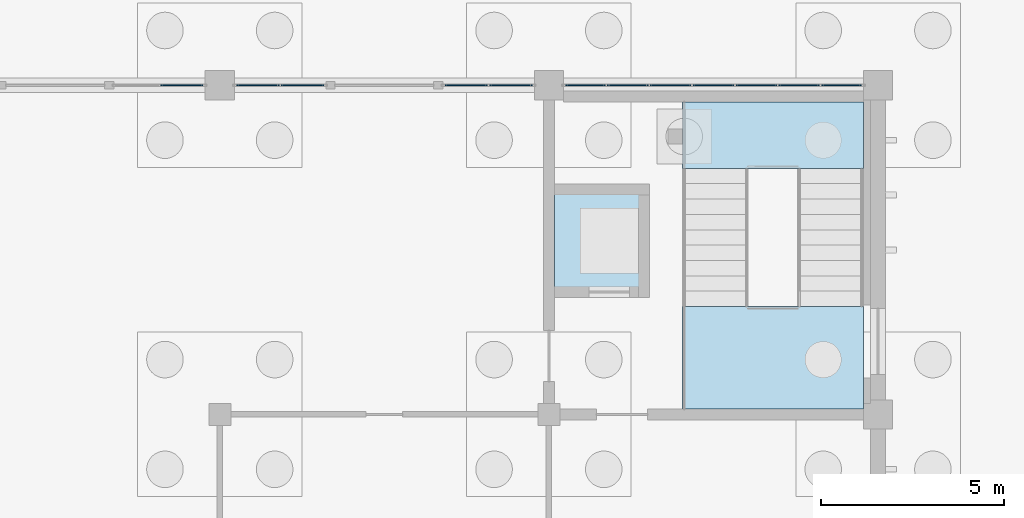
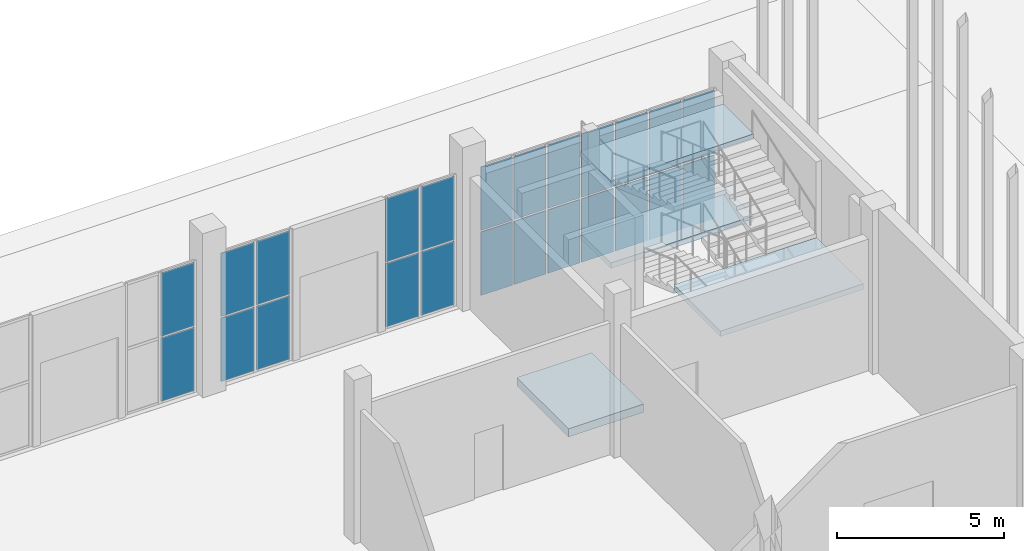
# One storey, part 70 of 198: 24 plates, 4 slabs, 5 elements without a shape of their own.
"""IFC4 building model written with IfcOpenShell, lengths in metres."""

import ifcopenshell
import ifcopenshell.guid

model = None  # the IFC model being written
_history = None  # IfcOwnerHistory: only IFC2X3 demands one
_inside = {}  # id of a spatial element -> (the spatial element, [elements in it])
_under = {}  # id of a project, library or spatial element -> (it, [spatial elements below it])
_declared = {}  # id of a project -> (the project, [libraries it declares])
_typed = {}  # id of a type object -> (the type object, [elements of that type])
_made_of = {}  # id of a material, layer set ... -> (it, [elements and type objects made of it])


def new_model(schema):
    """Start an empty IFC model of exactly this schema.

    Asked for "IFC4X3", IfcOpenShell would pick the latest addendum, in which some entities
    have other attributes; the version numbers below select the first issue.
    IFC2X3 requires an IfcOwnerHistory on every rooted entity: one is made here for all.
    """
    global model, _history
    if schema == "IFC4X3":
        model = ifcopenshell.file(schema_version=(4, 3, 0, 0))
    else:
        model = ifcopenshell.file(schema=schema)
    _inside.clear()
    _under.clear()
    _declared.clear()
    _typed.clear()
    _made_of.clear()
    _history = None
    if model.schema == "IFC2X3":
        org = make("IfcOrganization", Name="unknown")
        user = make(
            "IfcPersonAndOrganization",
            ThePerson=make("IfcPerson", FamilyName="unknown"),
            TheOrganization=org,
        )
        app = make(
            "IfcApplication",
            ApplicationDeveloper=org,
            Version="unknown",
            ApplicationFullName="unknown",
            ApplicationIdentifier="unknown",
        )
        _history = make(
            "IfcOwnerHistory",
            OwningUser=user,
            OwningApplication=app,
            ChangeAction="ADDED",
            CreationDate=0,
        )
    return model


def make(cls, **values):
    """One entity of the class cls with the attributes given. An attribute that is None is left unset."""
    return model.create_entity(
        cls, **{name: value for name, value in values.items() if value is not None}
    )


def rooted(cls, **values):
    """An entity with a GlobalId (a new one), such as an element, a storey or a relation."""
    return make(cls, GlobalId=ifcopenshell.guid.new(), OwnerHistory=_history, **values)


def si_unit(unit_type, name, prefix=None):
    """IfcSIUnit, for example si_unit("LENGTHUNIT", "METRE", prefix="MILLI")."""
    return make("IfcSIUnit", UnitType=unit_type, Prefix=prefix, Name=name)


def assignment(units):
    """IfcUnitAssignment: the units of a project."""
    return None if units is None else make("IfcUnitAssignment", Units=units)


def point(xyz):
    """IfcCartesianPoint."""
    return None if xyz is None else make("IfcCartesianPoint", Coordinates=xyz)


def direction(xyz):
    """IfcDirection."""
    return None if xyz is None else make("IfcDirection", DirectionRatios=xyz)


def frame(location, z_axis=None, x_axis=None):
    """IfcAxis2Placement3D, a coordinate frame: its origin and axes. An axis left out is left unset."""
    return make(
        "IfcAxis2Placement3D",
        Location=point(location),
        Axis=direction(z_axis),
        RefDirection=direction(x_axis),
    )


def frame_2d(location, x_axis=None):
    """IfcAxis2Placement2D, a coordinate frame in the plane: its origin and x axis."""
    return make(
        "IfcAxis2Placement2D", Location=point(location), RefDirection=direction(x_axis)
    )


def origin():
    """The frame at (0, 0, 0) with its axes left unset."""
    return frame((0.0, 0.0, 0.0))


def origin_2d():
    """The frame at (0, 0) in the plane with its x axis left unset."""
    return frame_2d((0.0, 0.0))


def place(relative_to, where):
    """IfcLocalPlacement: puts the frame where relative to a parent placement (None: the world)."""
    return make(
        "IfcLocalPlacement", PlacementRelTo=relative_to, RelativePlacement=where
    )


def context(
    kind, dimensions, precision=None, world=None, true_north=None, identifier=None
):
    """IfcGeometricRepresentationContext, for example the 3D "Model" context."""
    return make(
        "IfcGeometricRepresentationContext",
        ContextIdentifier=identifier,
        ContextType=kind,
        CoordinateSpaceDimension=dimensions,
        Precision=precision,
        WorldCoordinateSystem=world,
        TrueNorth=true_north,
    )


def subcontext(parent, identifier, kind, view, scale=None):
    """IfcGeometricRepresentationSubContext, for example "Body" below "Model"."""
    return make(
        "IfcGeometricRepresentationSubContext",
        ContextIdentifier=identifier,
        ContextType=kind,
        ParentContext=parent,
        TargetScale=scale,
        TargetView=view,
    )


def project(units=None, contexts=None):
    """IfcProject with its units and contexts."""
    return rooted(
        "IfcProject",
        Name="project",
        RepresentationContexts=contexts,
        UnitsInContext=assignment(units),
    )


def spatial(cls, under=None, at=None, **own):
    """A site, building, storey or space (cls), placed at a placement, below another one or the project."""
    s = rooted(cls, ObjectPlacement=at, **own)
    if under is not None:
        _under.setdefault(under.id(), (under, []))[1].append(s)
    return s


def polyline(points):
    """IfcPolyline through the points."""
    return make("IfcPolyline", Points=[point(p) for p in points])


def profile(cls, at=None, kind="AREA", **sizes):
    """A parametric profile (cls). Its sizes go by their IFC names, for example OverallWidth=200.0."""
    return make(cls, ProfileType=kind, Position=at, **sizes)


def rectangle(**sizes):
    """IfcRectangleProfileDef."""
    return profile("IfcRectangleProfileDef", **sizes)


def outline(outer, holes=None, kind="AREA"):
    """IfcArbitraryClosedProfileDef: a profile drawn as a closed curve; with holes, ...WithVoids."""
    if holes is None:
        return make("IfcArbitraryClosedProfileDef", ProfileType=kind, OuterCurve=outer)
    return make(
        "IfcArbitraryProfileDefWithVoids",
        ProfileType=kind,
        OuterCurve=outer,
        InnerCurves=holes,
    )


def extrude(swept, where, along, depth):
    """IfcExtrudedAreaSolid: the profile swept, set in the frame where, extruded along a direction by depth."""
    return make(
        "IfcExtrudedAreaSolid",
        SweptArea=swept,
        Position=where,
        ExtrudedDirection=direction(along),
        Depth=depth,
    )


def shape(context_of_items, identifier, shape_type, items):
    """IfcShapeRepresentation: the items that make up one representation, for example the "Body"."""
    return make(
        "IfcShapeRepresentation",
        ContextOfItems=context_of_items,
        RepresentationIdentifier=identifier,
        RepresentationType=shape_type,
        Items=items,
    )


def material(Name=None, Category=None):
    """IfcMaterial."""
    return make("IfcMaterial", Name=Name, Category=Category)


def layer(
    of_material, thickness, ventilated=None, Name=None, Category=None, Priority=None
):
    """IfcMaterialLayer: one layer of a wall or slab, of a material (None: an air gap)."""
    return make(
        "IfcMaterialLayer",
        Material=of_material,
        LayerThickness=thickness,
        IsVentilated=ventilated,
        Name=Name,
        Category=Category,
        Priority=Priority,
    )


def layer_set(layers, Name=None):
    """IfcMaterialLayerSet."""
    return make("IfcMaterialLayerSet", MaterialLayers=layers, LayerSetName=Name)


def made_of(thing, what):
    """Note that an element or type object is made of a material, layer set ...; save() writes the relation."""
    if what is not None:
        _made_of.setdefault(what.id(), (what, []))[1].append(thing)
    return thing


def type_object(cls, material=None, **own):
    """A type object (cls), such as IfcWallType, which elements share."""
    return made_of(rooted(cls, **own), material)


def element(
    cls,
    number,
    at=None,
    inside=None,
    cuts=None,
    type_object=None,
    material=None,
    context=None,
    identifier="Body",
    shape_type=None,
    held_by="IfcProductDefinitionShape",
    body=None,
    shapes=None,
    **own,
):
    """One element of the class cls, such as IfcWall. Its Tag is "e" and its number.

    at: its placement. inside: the storey or other place that contains it. cuts: it is an
    opening in that element (IfcRelVoidsElement). A single representation is given by context,
    identifier, shape_type and body (its items); several are given by shapes. held_by: the class
    of the entity that holds the representations. save() writes the other relations.
    """
    e = rooted(cls, Tag="e%d" % number, ObjectPlacement=at, **own)
    if body is not None:
        shapes = [shape(context, identifier, shape_type, body)]
    if shapes is not None:
        e.Representation = make(held_by, Representations=shapes)
    if inside is not None:
        _inside.setdefault(inside.id(), (inside, []))[1].append(e)
    if cuts is not None:
        rooted(
            "IfcRelVoidsElement", RelatingBuildingElement=cuts, RelatedOpeningElement=e
        )
    if type_object is not None:
        _typed.setdefault(type_object.id(), (type_object, []))[1].append(e)
    return made_of(e, material)


def aggregate(whole, parts):
    """IfcRelAggregates: a whole, such as a stair, and the parts it consists of."""
    return rooted("IfcRelAggregates", RelatingObject=whole, RelatedObjects=parts)


def save(model, path):
    """Write the relations noted so far, then the file.

    IfcRelAggregates (storeys below a building ...), IfcRelContainedInSpatialStructure (elements
    in a storey), IfcRelDefinesByType, IfcRelAssociatesMaterial and IfcRelDeclares: one each for
    every whole, place, type object, material and project.
    """
    for whole, parts in _under.values():
        aggregate(whole, parts)
    for where, things in _inside.values():
        rooted(
            "IfcRelContainedInSpatialStructure",
            RelatedElements=things,
            RelatingStructure=where,
        )
    for kind, things in _typed.values():
        rooted("IfcRelDefinesByType", RelatedObjects=things, RelatingType=kind)
    for what, things in _made_of.values():
        rooted("IfcRelAssociatesMaterial", RelatedObjects=things, RelatingMaterial=what)
    for by, libraries in _declared.values():
        rooted("IfcRelDeclares", RelatingContext=by, RelatedDefinitions=libraries)
    model.write(path)


model = new_model("IFC4")

# Units and contexts
model_context = context("Model", 3, precision=1e-05, world=origin(), true_north=direction((0.0, 1.0)))
body_context = subcontext(model_context, "Body", "Model", "MODEL_VIEW")
ifc_project = project(units=[si_unit("LENGTHUNIT", "METRE"), si_unit("AREAUNIT", "SQUARE_METRE"), si_unit("VOLUMEUNIT", "CUBIC_METRE"), si_unit("PLANEANGLEUNIT", "RADIAN"), si_unit("MASSUNIT", "GRAM", prefix="KILO")], contexts=[model_context])

# Site, building, storey
site_placement = place(None, origin())
site = spatial("IfcSite", under=ifc_project, at=site_placement, CompositionType="ELEMENT")
building_placement = place(site_placement, origin())
building = spatial("IfcBuilding", under=site, at=building_placement, Name="Opaline Strait Convention Centre", CompositionType="ELEMENT")
storey_placement = place(building_placement, origin())
storey = spatial("IfcBuildingStorey", under=building, at=storey_placement, Name="L00", CompositionType="ELEMENT", Elevation=0.0)

# Curtain wall, plates
ifc_material_1 = material(Name="Aluminium framed double glazing", Category="aluminium")
ifc_layer_1 = layer(ifc_material_1, 0.199951171875)
ifc_layer_set_1 = layer_set([ifc_layer_1], Name="Aluminium framed double glazing")
curtain_wall_type = type_object("IfcCurtainWallType", Name="Curtain wall 1250", PredefinedType="NOTDEFINED", material=ifc_layer_set_1)
curtain_wall_1_placement = place(storey_placement, origin())
curtain_wall_1 = element("IfcCurtainWall", 1, at=curtain_wall_1_placement, inside=storey, type_object=curtain_wall_type, Name="Curtain wall N-45b-L00", PredefinedType="NOTDEFINED")
ifc_material_2 = material(Name="Double glazed unit low emissivity", Category="glass")
ifc_layer_2 = layer(ifc_material_2, 0.028076171875)
ifc_layer_set_2 = layer_set([ifc_layer_2], Name="Double glazed unit low emissivity")
plate_type = type_object("IfcPlateType", Name="Curtain wall glass panel 28", PredefinedType="CURTAIN_PANEL", material=ifc_layer_set_2)
plate_1_placement = place(storey_placement, frame((52.960205078125, 180.0, 0.06005859375), z_axis=(0.0, 0.0, 1.0), x_axis=(1.0, 0.0, 0.0)))
plate_1 = element("IfcPlate", 2, at=plate_1_placement, type_object=plate_type, Name="PCW panel 2.1", PredefinedType="CURTAIN_PANEL", context=body_context, shape_type="SweptSolid", body=[
    extrude(rectangle(XDim=1.159912109375, YDim=0.028076171875, at=origin_2d()), origin(), (0.0, 0.0, 1.0), 2.320068359375),
])
plate_2_placement = place(storey_placement, frame((52.960205078125, 180.0, 2.43994140625), z_axis=(0.0, 0.0, 1.0), x_axis=(1.0, 0.0, 0.0)))
plate_2 = element("IfcPlate", 3, at=plate_2_placement, type_object=plate_type, Name="PCW panel 2.2", PredefinedType="CURTAIN_PANEL", context=body_context, shape_type="SweptSolid", body=[
    extrude(rectangle(XDim=1.159912109375, YDim=0.028076171875, at=origin_2d()), origin(), (0.0, 0.0, 1.0), 2.320068359375),
])
aggregate(curtain_wall_1, [plate_1, plate_2])

curtain_wall_2_placement = place(storey_placement, origin())
curtain_wall_2 = element("IfcCurtainWall", 4, at=curtain_wall_2_placement, inside=storey, type_object=curtain_wall_type, Name="Curtain wall N-54a-L00", PredefinedType="NOTDEFINED")
plate_3_placement = place(storey_placement, frame((55.039794921875, 180.0, 0.06005859375), z_axis=(0.0, 0.0, 1.0), x_axis=(1.0, 0.0, 0.0)))
plate_3 = element("IfcPlate", 5, at=plate_3_placement, type_object=plate_type, Name="PCW panel 1.1", PredefinedType="CURTAIN_PANEL", context=body_context, shape_type="SweptSolid", body=[
    extrude(rectangle(XDim=1.159912109375, YDim=0.028076171875, at=origin_2d()), origin(), (0.0, 0.0, 1.0), 2.320068359375),
])
plate_4_placement = place(storey_placement, frame((55.039794921875, 180.0, 2.43994140625), z_axis=(0.0, 0.0, 1.0), x_axis=(1.0, 0.0, 0.0)))
plate_4 = element("IfcPlate", 6, at=plate_4_placement, type_object=plate_type, Name="PCW panel 1.2", PredefinedType="CURTAIN_PANEL", context=body_context, shape_type="SweptSolid", body=[
    extrude(rectangle(XDim=1.159912109375, YDim=0.028076171875, at=origin_2d()), origin(), (0.0, 0.0, 1.0), 2.320068359375),
])
plate_5_placement = place(storey_placement, frame((56.260009765625, 180.0, 0.06005859375), z_axis=(0.0, 0.0, 1.0), x_axis=(1.0, 0.0, 0.0)))
plate_5 = element("IfcPlate", 7, at=plate_5_placement, type_object=plate_type, Name="PCW panel 2.1", PredefinedType="CURTAIN_PANEL", context=body_context, shape_type="SweptSolid", body=[
    extrude(rectangle(XDim=1.159912109375, YDim=0.028076171875, at=origin_2d()), origin(), (0.0, 0.0, 1.0), 2.320068359375),
])
plate_6_placement = place(storey_placement, frame((56.260009765625, 180.0, 2.43994140625), z_axis=(0.0, 0.0, 1.0), x_axis=(1.0, 0.0, 0.0)))
plate_6 = element("IfcPlate", 8, at=plate_6_placement, type_object=plate_type, Name="PCW panel 2.2", PredefinedType="CURTAIN_PANEL", context=body_context, shape_type="SweptSolid", body=[
    extrude(rectangle(XDim=1.159912109375, YDim=0.028076171875, at=origin_2d()), origin(), (0.0, 0.0, 1.0), 2.320068359375),
])
aggregate(curtain_wall_2, [plate_3, plate_4, plate_5, plate_6])

curtain_wall_3_placement = place(storey_placement, origin())
curtain_wall_3 = element("IfcCurtainWall", 9, at=curtain_wall_3_placement, inside=storey, type_object=curtain_wall_type, Name="Curtain wall N-54b-L00", PredefinedType="NOTDEFINED")
plate_7_placement = place(storey_placement, frame((60.739990234375, 180.0, 0.06005859375), z_axis=(0.0, 0.0, 1.0), x_axis=(1.0, 0.0, 0.0)))
plate_7 = element("IfcPlate", 10, at=plate_7_placement, type_object=plate_type, Name="PCW panel 1.1", PredefinedType="CURTAIN_PANEL", context=body_context, shape_type="SweptSolid", body=[
    extrude(rectangle(XDim=1.159912109375, YDim=0.028076171875, at=origin_2d()), origin(), (0.0, 0.0, 1.0), 2.320068359375),
])
plate_8_placement = place(storey_placement, frame((60.739990234375, 180.0, 2.43994140625), z_axis=(0.0, 0.0, 1.0), x_axis=(1.0, 0.0, 0.0)))
plate_8 = element("IfcPlate", 11, at=plate_8_placement, type_object=plate_type, Name="PCW panel 1.2", PredefinedType="CURTAIN_PANEL", context=body_context, shape_type="SweptSolid", body=[
    extrude(rectangle(XDim=1.159912109375, YDim=0.028076171875, at=origin_2d()), origin(), (0.0, 0.0, 1.0), 2.320068359375),
])
plate_9_placement = place(storey_placement, frame((61.960205078125, 180.0, 0.06005859375), z_axis=(0.0, 0.0, 1.0), x_axis=(1.0, 0.0, 0.0)))
plate_9 = element("IfcPlate", 12, at=plate_9_placement, type_object=plate_type, Name="PCW panel 2.1", PredefinedType="CURTAIN_PANEL", context=body_context, shape_type="SweptSolid", body=[
    extrude(rectangle(XDim=1.159912109375, YDim=0.028076171875, at=origin_2d()), origin(), (0.0, 0.0, 1.0), 2.320068359375),
])
plate_10_placement = place(storey_placement, frame((61.960205078125, 180.0, 2.43994140625), z_axis=(0.0, 0.0, 1.0), x_axis=(1.0, 0.0, 0.0)))
plate_10 = element("IfcPlate", 13, at=plate_10_placement, type_object=plate_type, Name="PCW panel 2.2", PredefinedType="CURTAIN_PANEL", context=body_context, shape_type="SweptSolid", body=[
    extrude(rectangle(XDim=1.159912109375, YDim=0.028076171875, at=origin_2d()), origin(), (0.0, 0.0, 1.0), 2.320068359375),
])
aggregate(curtain_wall_3, [plate_7, plate_8, plate_9, plate_10])

curtain_wall_4_placement = place(storey_placement, origin())
curtain_wall_4 = element("IfcCurtainWall", 14, at=curtain_wall_4_placement, inside=storey, type_object=curtain_wall_type, Name="Curtain wall N-63-L00", PredefinedType="NOTDEFINED")
plate_11_placement = place(storey_placement, frame((64.000732421875, 180.0, 0.06005859375), z_axis=(0.0, 0.0, 1.0), x_axis=(1.0, 0.0, 0.0)))
plate_11 = element("IfcPlate", 15, at=plate_11_placement, type_object=plate_type, Name="PCW panel 1.1", PredefinedType="CURTAIN_PANEL", context=body_context, shape_type="SweptSolid", body=[
    extrude(rectangle(XDim=1.08154296875, YDim=0.028076171875, at=origin_2d()), origin(), (0.0, 0.0, 1.0), 2.320068359375),
])
plate_12_placement = place(storey_placement, frame((64.000732421875, 180.0, 2.43994140625), z_axis=(0.0, 0.0, 1.0), x_axis=(1.0, 0.0, 0.0)))
plate_12 = element("IfcPlate", 16, at=plate_12_placement, type_object=plate_type, Name="PCW panel 1.2", PredefinedType="CURTAIN_PANEL", context=body_context, shape_type="SweptSolid", body=[
    extrude(rectangle(XDim=1.08154296875, YDim=0.028076171875, at=origin_2d()), origin(), (0.0, 0.0, 1.0), 2.320068359375),
])
plate_13_placement = place(storey_placement, frame((65.156982421875, 180.0, 0.06005859375), z_axis=(0.0, 0.0, 1.0), x_axis=(1.0, 0.0, 0.0)))
plate_13 = element("IfcPlate", 17, at=plate_13_placement, type_object=plate_type, Name="PCW panel 2.1", PredefinedType="CURTAIN_PANEL", context=body_context, shape_type="SweptSolid", body=[
    extrude(rectangle(XDim=1.111572265625, YDim=0.028076171875, at=origin_2d()), origin(), (0.0, 0.0, 1.0), 2.320068359375),
])
plate_14_placement = place(storey_placement, frame((65.156982421875, 180.0, 2.43994140625), z_axis=(0.0, 0.0, 1.0), x_axis=(1.0, 0.0, 0.0)))
plate_14 = element("IfcPlate", 18, at=plate_14_placement, type_object=plate_type, Name="PCW panel 2.2", PredefinedType="CURTAIN_PANEL", context=body_context, shape_type="SweptSolid", body=[
    extrude(rectangle(XDim=1.111572265625, YDim=0.028076171875, at=origin_2d()), origin(), (0.0, 0.0, 1.0), 2.320068359375),
])
plate_15_placement = place(storey_placement, frame((66.32861328125, 180.0, 0.06005859375), z_axis=(0.0, 0.0, 1.0), x_axis=(1.0, 0.0, 0.0)))
plate_15 = element("IfcPlate", 19, at=plate_15_placement, type_object=plate_type, Name="PCW panel 3.1", PredefinedType="CURTAIN_PANEL", context=body_context, shape_type="SweptSolid", body=[
    extrude(rectangle(XDim=1.111572265625, YDim=0.028076171875, at=origin_2d()), origin(), (0.0, 0.0, 1.0), 2.320068359375),
])
plate_16_placement = place(storey_placement, frame((66.32861328125, 180.0, 2.43994140625), z_axis=(0.0, 0.0, 1.0), x_axis=(1.0, 0.0, 0.0)))
plate_16 = element("IfcPlate", 20, at=plate_16_placement, type_object=plate_type, Name="PCW panel 3.2", PredefinedType="CURTAIN_PANEL", context=body_context, shape_type="SweptSolid", body=[
    extrude(rectangle(XDim=1.111572265625, YDim=0.028076171875, at=origin_2d()), origin(), (0.0, 0.0, 1.0), 2.320068359375),
])
plate_17_placement = place(storey_placement, frame((67.5, 180.0, 0.06005859375), z_axis=(0.0, 0.0, 1.0), x_axis=(1.0, 0.0, 0.0)))
plate_17 = element("IfcPlate", 21, at=plate_17_placement, type_object=plate_type, Name="PCW panel 4.1", PredefinedType="CURTAIN_PANEL", context=body_context, shape_type="SweptSolid", body=[
    extrude(rectangle(XDim=1.111572265625, YDim=0.028076171875, at=origin_2d()), origin(), (0.0, 0.0, 1.0), 2.320068359375),
])
plate_18_placement = place(storey_placement, frame((67.5, 180.0, 2.43994140625), z_axis=(0.0, 0.0, 1.0), x_axis=(1.0, 0.0, 0.0)))
plate_18 = element("IfcPlate", 22, at=plate_18_placement, type_object=plate_type, Name="PCW panel 4.2", PredefinedType="CURTAIN_PANEL", context=body_context, shape_type="SweptSolid", body=[
    extrude(rectangle(XDim=1.111572265625, YDim=0.028076171875, at=origin_2d()), origin(), (0.0, 0.0, 1.0), 2.320068359375),
])
plate_19_placement = place(storey_placement, frame((68.67138671875, 180.0, 0.06005859375), z_axis=(0.0, 0.0, 1.0), x_axis=(1.0, 0.0, 0.0)))
plate_19 = element("IfcPlate", 23, at=plate_19_placement, type_object=plate_type, Name="PCW panel 5.1", PredefinedType="CURTAIN_PANEL", context=body_context, shape_type="SweptSolid", body=[
    extrude(rectangle(XDim=1.111572265625, YDim=0.028076171875, at=origin_2d()), origin(), (0.0, 0.0, 1.0), 2.320068359375),
])
plate_20_placement = place(storey_placement, frame((68.67138671875, 180.0, 2.43994140625), z_axis=(0.0, 0.0, 1.0), x_axis=(1.0, 0.0, 0.0)))
plate_20 = element("IfcPlate", 24, at=plate_20_placement, type_object=plate_type, Name="PCW panel 5.2", PredefinedType="CURTAIN_PANEL", context=body_context, shape_type="SweptSolid", body=[
    extrude(rectangle(XDim=1.111572265625, YDim=0.028076171875, at=origin_2d()), origin(), (0.0, 0.0, 1.0), 2.320068359375),
])
plate_21_placement = place(storey_placement, frame((69.843017578125, 180.0, 0.06005859375), z_axis=(0.0, 0.0, 1.0), x_axis=(1.0, 0.0, 0.0)))
plate_21 = element("IfcPlate", 25, at=plate_21_placement, type_object=plate_type, Name="PCW panel 6.1", PredefinedType="CURTAIN_PANEL", context=body_context, shape_type="SweptSolid", body=[
    extrude(rectangle(XDim=1.111572265625, YDim=0.028076171875, at=origin_2d()), origin(), (0.0, 0.0, 1.0), 2.320068359375),
])
plate_22_placement = place(storey_placement, frame((69.843017578125, 180.0, 2.43994140625), z_axis=(0.0, 0.0, 1.0), x_axis=(1.0, 0.0, 0.0)))
plate_22 = element("IfcPlate", 26, at=plate_22_placement, type_object=plate_type, Name="PCW panel 6.2", PredefinedType="CURTAIN_PANEL", context=body_context, shape_type="SweptSolid", body=[
    extrude(rectangle(XDim=1.111572265625, YDim=0.028076171875, at=origin_2d()), origin(), (0.0, 0.0, 1.0), 2.320068359375),
])
plate_23_placement = place(storey_placement, frame((70.999267578125, 180.0, 0.06005859375), z_axis=(0.0, 0.0, 1.0), x_axis=(1.0, 0.0, 0.0)))
plate_23 = element("IfcPlate", 27, at=plate_23_placement, type_object=plate_type, Name="PCW panel 7.1", PredefinedType="CURTAIN_PANEL", context=body_context, shape_type="SweptSolid", body=[
    extrude(rectangle(XDim=1.08154296875, YDim=0.028076171875, at=origin_2d()), origin(), (0.0, 0.0, 1.0), 2.320068359375),
])
plate_24_placement = place(storey_placement, frame((70.999267578125, 180.0, 2.43994140625), z_axis=(0.0, 0.0, 1.0), x_axis=(1.0, 0.0, 0.0)))
plate_24 = element("IfcPlate", 28, at=plate_24_placement, type_object=plate_type, Name="PCW panel 7.2", PredefinedType="CURTAIN_PANEL", context=body_context, shape_type="SweptSolid", body=[
    extrude(rectangle(XDim=1.08154296875, YDim=0.028076171875, at=origin_2d()), origin(), (0.0, 0.0, 1.0), 2.320068359375),
])
aggregate(curtain_wall_4, [plate_11, plate_12, plate_13, plate_14, plate_15, plate_16, plate_17, plate_18, plate_19, plate_20, plate_21, plate_22, plate_23, plate_24])

# Slab
ifc_material_3 = material(Name="Concrete C35", Category="concrete")
ifc_layer_3 = layer(ifc_material_3, 0.300048828125)
ifc_layer_set_3 = layer_set([ifc_layer_3], Name="Concrete C35")
slab_type_1 = type_object("IfcSlabType", Name="Lift pit slab 300", PredefinedType="BASESLAB", material=ifc_layer_set_3)
slab_1_placement = place(storey_placement, frame((0.0, 0.0, -1.5)))
element("IfcSlab", 29, at=slab_1_placement, inside=storey, type_object=slab_type_1, Name="PFS9 NE lift pit slab", PredefinedType="BASESLAB", context=body_context, shape_type="SweptSolid", body=[
    extrude(outline(polyline([(63.14990234375, 174.199951171875), (65.75, 174.199951171875), (65.75, 177.300048828125), (63.14990234375, 177.300048828125), (63.14990234375, 174.199951171875)])), origin(), (0.0, 0.0, 1.0), 0.300048828125),
])

# Stair, slabs
ifc_material_4 = material(Name="Concrete C40", Category="concrete")
stair_type = type_object("IfcStairType", Name="Core stair half turn 2400", PredefinedType="HALF_TURN_STAIR", material=ifc_material_4)
stair_placement = place(storey_placement, origin())
stair = element("IfcStair", 30, at=stair_placement, inside=storey, type_object=stair_type, Name="L00 NE core stair", ObjectType="PST2", PredefinedType="HALF_TURN_STAIR")
ifc_layer_4 = layer(ifc_material_4, 0.199951171875)
ifc_layer_set_4 = layer_set([ifc_layer_4], Name="Concrete C40")
slab_type_2 = type_object("IfcSlabType", Name="Stair landing 200 precast", PredefinedType="LANDING", material=ifc_layer_set_4)
slab_2_placement = place(storey_placement, frame((0.0, 0.0, 1.300048828125)))
slab_2 = element("IfcSlab", 31, at=slab_2_placement, type_object=slab_type_2, Name="PSR4 landing 1", ObjectType="PSL1", PredefinedType="LANDING", context=body_context, shape_type="SweptSolid", body=[
    extrude(outline(polyline([(71.60009765625, 177.72998046875), (71.60009765625, 179.550048828125), (66.64990234375, 179.550048828125), (66.64990234375, 177.72998046875), (71.60009765625, 177.72998046875)])), origin(), (0.0, 0.0, 1.0), 0.199951171875),
])
slab_3_placement = place(storey_placement, frame((0.0, 0.0, 2.800048828125)))
slab_3 = element("IfcSlab", 32, at=slab_3_placement, type_object=slab_type_2, Name="PSR4 landing 2", ObjectType="PSL1", PredefinedType="LANDING", context=body_context, shape_type="SweptSolid", body=[
    extrude(outline(polyline([(71.60009765625, 171.14990234375), (71.60009765625, 173.949951171875), (66.64990234375, 173.949951171875), (66.64990234375, 171.14990234375), (71.60009765625, 171.14990234375)])), origin(), (0.0, 0.0, 1.0), 0.199951171875),
])
slab_4_placement = place(storey_placement, frame((0.0, 0.0, 4.300048828125)))
slab_4 = element("IfcSlab", 33, at=slab_4_placement, type_object=slab_type_2, Name="PSR4 landing 3", ObjectType="PSL1", PredefinedType="LANDING", context=body_context, shape_type="SweptSolid", body=[
    extrude(outline(polyline([(71.60009765625, 177.72998046875), (71.60009765625, 179.550048828125), (66.64990234375, 179.550048828125), (66.64990234375, 177.72998046875), (71.60009765625, 177.72998046875)])), origin(), (0.0, 0.0, 1.0), 0.199951171875),
])
aggregate(stair, [slab_2, slab_3, slab_4])

save(model, "model.ifc")
